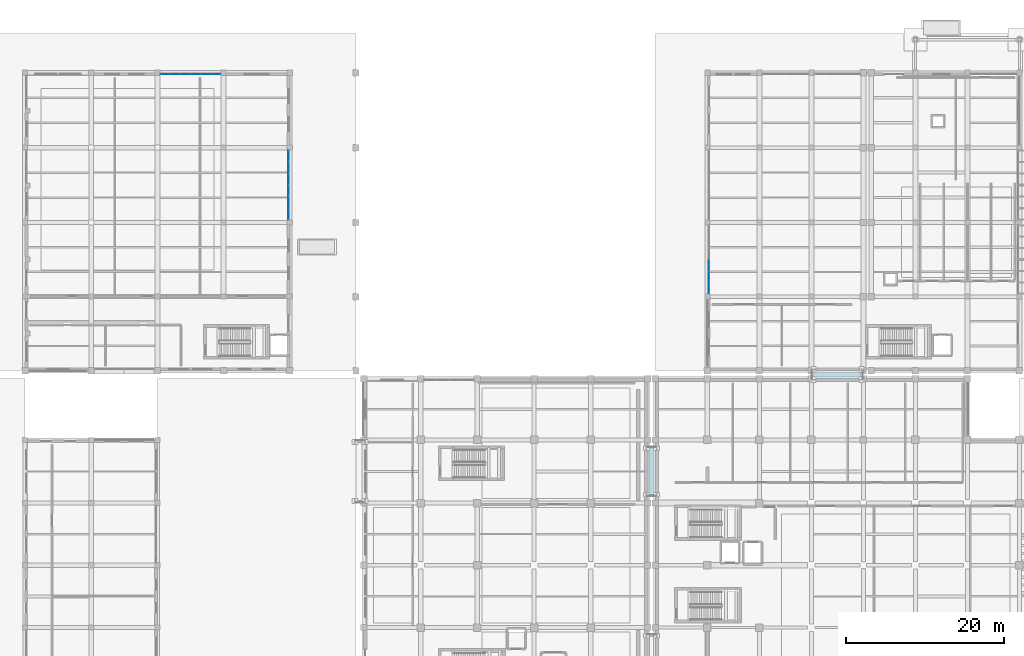
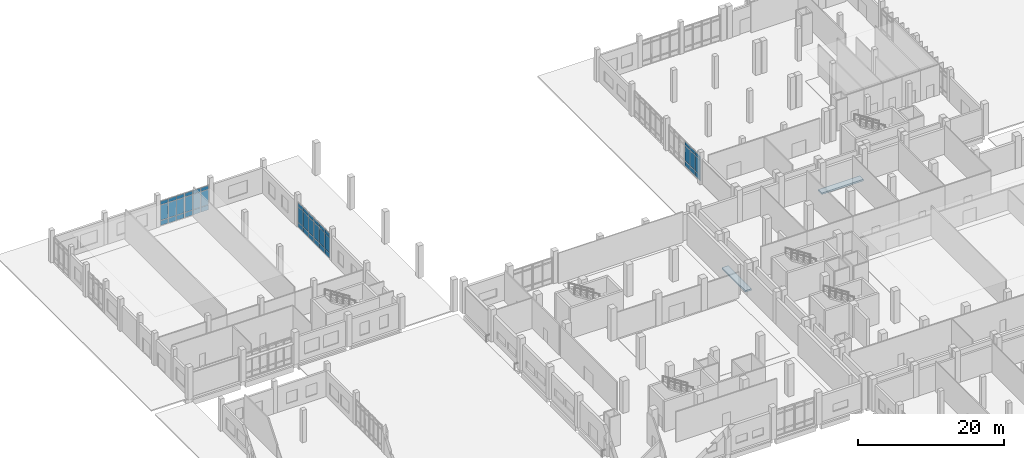
# One storey, part 44 of 79: 45 plates, 2 slabs, 5 elements without a shape of their own.
"""IFC4 building model written with IfcOpenShell, lengths in metres."""

from ifc_helpers import new_model, si_unit, direction, frame, origin, origin_2d, place, context, subcontext, project, spatial, polyline, rectangle, outline, extrude, material, layer, layer_set, type_object, element, aggregate, save


model = new_model("IFC4")

# Units and contexts
model_context = context("Model", 3, precision=1e-05, world=origin(), true_north=direction((0.0, 1.0)))
body_context = subcontext(model_context, "Body", "Model", "MODEL_VIEW")
ifc_project = project(units=[si_unit("LENGTHUNIT", "METRE"), si_unit("AREAUNIT", "SQUARE_METRE"), si_unit("VOLUMEUNIT", "CUBIC_METRE"), si_unit("PLANEANGLEUNIT", "RADIAN"), si_unit("MASSUNIT", "GRAM", prefix="KILO")], contexts=[model_context])

# Site, building, storey
site_placement = place(None, origin())
site = spatial("IfcSite", under=ifc_project, at=site_placement, CompositionType="ELEMENT")
building_placement = place(site_placement, origin())
building = spatial("IfcBuilding", under=site, at=building_placement, Name="Kelarvand Opera House", CompositionType="ELEMENT")
storey_placement = place(building_placement, origin())
storey = spatial("IfcBuildingStorey", under=building, at=storey_placement, Name="L00", CompositionType="ELEMENT", Elevation=0.0)

# Curtain wall, plates
ifc_material_1 = material(Name="Thermally broken aluminium and low-E glazing", Category="aluminium")
ifc_layer_1 = layer(ifc_material_1, 0.179931640625, Name="Thermally broken aluminium and low-E glazing", Category="aluminium")
ifc_layer_set_1 = layer_set([ifc_layer_1], Name="Thermally broken aluminium and low-E glazing")
curtain_wall_type_1 = type_object("IfcCurtainWallType", Name="Unitised Low-E Curtain Wall 4411x4200 Mod 1350 CWF-11", PredefinedType="USERDEFINED", material=ifc_layer_set_1)
curtain_wall_1_placement = place(storey_placement, origin())
curtain_wall_1 = element("IfcCurtainWall", 1, at=curtain_wall_1_placement, inside=storey, type_object=curtain_wall_type_1, Name="V3 L00 Curtain Wall CWF-11 (39)", ObjectType="UNITISED CURTAIN WALL", PredefinedType="USERDEFINED")
ifc_material_2 = material(Name="Low-E laminated double glazing", Category="glass")
ifc_layer_2 = layer(ifc_material_2, 0.031982421875, Name="Low-E laminated double glazing", Category="glass")
ifc_layer_set_2 = layer_set([ifc_layer_2], Name="Low-E laminated double glazing")
plate_type = type_object("IfcPlateType", Name="Low-E Argon Double Glazed Curtain Panel 32mm", PredefinedType="CURTAIN_PANEL", material=ifc_layer_set_2)
plate_1_placement = place(storey_placement, frame((42.419921875, 114.41357421875, 0.06494140625), z_axis=(0.0, 0.0, 1.0), x_axis=(0.0, -1.0, 0.0)))
plate_1 = element("IfcPlate", 2, at=plate_1_placement, type_object=plate_type, Name="CWF-11 panel 1.1", PredefinedType="CURTAIN_PANEL", context=body_context, shape_type="SweptSolid", body=[
    extrude(rectangle(XDim=1.372802734375, YDim=0.031982421875, at=origin_2d()), origin(), (0.0, 0.0, 1.0), 0.802490234375),
])
plate_2_placement = place(storey_placement, frame((42.419921875, 114.41357421875, 0.9326171875), z_axis=(0.0, 0.0, 1.0), x_axis=(0.0, -1.0, 0.0)))
plate_2 = element("IfcPlate", 3, at=plate_2_placement, type_object=plate_type, Name="CWF-11 panel 1.2", PredefinedType="CURTAIN_PANEL", context=body_context, shape_type="SweptSolid", body=[
    extrude(rectangle(XDim=1.372802734375, YDim=0.031982421875, at=origin_2d()), origin(), (0.0, 0.0, 1.0), 2.534912109375),
])
plate_3_placement = place(storey_placement, frame((42.419921875, 114.41357421875, 3.532470703125), z_axis=(0.0, 0.0, 1.0), x_axis=(0.0, -1.0, 0.0)))
plate_3 = element("IfcPlate", 4, at=plate_3_placement, type_object=plate_type, Name="CWF-11 panel 1.3", PredefinedType="CURTAIN_PANEL", context=body_context, shape_type="SweptSolid", body=[
    extrude(rectangle(XDim=1.372802734375, YDim=0.031982421875, at=origin_2d()), origin(), (0.0, 0.0, 1.0), 0.6025390625),
])
plate_4_placement = place(storey_placement, frame((42.419921875, 112.95947265625, 0.06494140625), z_axis=(0.0, 0.0, 1.0), x_axis=(0.0, -1.0, 0.0)))
plate_4 = element("IfcPlate", 5, at=plate_4_placement, type_object=plate_type, Name="CWF-11 panel 2.1", PredefinedType="CURTAIN_PANEL", context=body_context, shape_type="SweptSolid", body=[
    extrude(rectangle(XDim=1.4052734375, YDim=0.031982421875, at=origin_2d()), origin(), (0.0, 0.0, 1.0), 0.802490234375),
])
plate_5_placement = place(storey_placement, frame((42.419921875, 112.95947265625, 0.9326171875), z_axis=(0.0, 0.0, 1.0), x_axis=(0.0, -1.0, 0.0)))
plate_5 = element("IfcPlate", 6, at=plate_5_placement, type_object=plate_type, Name="CWF-11 panel 2.2", PredefinedType="CURTAIN_PANEL", context=body_context, shape_type="SweptSolid", body=[
    extrude(rectangle(XDim=1.4052734375, YDim=0.031982421875, at=origin_2d()), origin(), (0.0, 0.0, 1.0), 2.534912109375),
])
plate_6_placement = place(storey_placement, frame((42.419921875, 112.95947265625, 3.532470703125), z_axis=(0.0, 0.0, 1.0), x_axis=(0.0, -1.0, 0.0)))
plate_6 = element("IfcPlate", 7, at=plate_6_placement, type_object=plate_type, Name="CWF-11 panel 2.3", PredefinedType="CURTAIN_PANEL", context=body_context, shape_type="SweptSolid", body=[
    extrude(rectangle(XDim=1.4052734375, YDim=0.031982421875, at=origin_2d()), origin(), (0.0, 0.0, 1.0), 0.6025390625),
])
plate_7_placement = place(storey_placement, frame((42.419921875, 111.50537109375, 0.06494140625), z_axis=(0.0, 0.0, 1.0), x_axis=(0.0, -1.0, 0.0)))
plate_7 = element("IfcPlate", 8, at=plate_7_placement, type_object=plate_type, Name="CWF-11 panel 3.1", PredefinedType="CURTAIN_PANEL", context=body_context, shape_type="SweptSolid", body=[
    extrude(rectangle(XDim=1.372802734375, YDim=0.031982421875, at=origin_2d()), origin(), (0.0, 0.0, 1.0), 0.802490234375),
])
plate_8_placement = place(storey_placement, frame((42.419921875, 111.50537109375, 0.9326171875), z_axis=(0.0, 0.0, 1.0), x_axis=(0.0, -1.0, 0.0)))
plate_8 = element("IfcPlate", 9, at=plate_8_placement, type_object=plate_type, Name="CWF-11 panel 3.2", PredefinedType="CURTAIN_PANEL", context=body_context, shape_type="SweptSolid", body=[
    extrude(rectangle(XDim=1.372802734375, YDim=0.031982421875, at=origin_2d()), origin(), (0.0, 0.0, 1.0), 2.534912109375),
])
plate_9_placement = place(storey_placement, frame((42.419921875, 111.50537109375, 3.532470703125), z_axis=(0.0, 0.0, 1.0), x_axis=(0.0, -1.0, 0.0)))
plate_9 = element("IfcPlate", 10, at=plate_9_placement, type_object=plate_type, Name="CWF-11 panel 3.3", PredefinedType="CURTAIN_PANEL", context=body_context, shape_type="SweptSolid", body=[
    extrude(rectangle(XDim=1.372802734375, YDim=0.031982421875, at=origin_2d()), origin(), (0.0, 0.0, 1.0), 0.6025390625),
])
aggregate(curtain_wall_1, [plate_1, plate_2, plate_3, plate_4, plate_5, plate_6, plate_7, plate_8, plate_9])

curtain_wall_2_placement = place(storey_placement, origin())
curtain_wall_2 = element("IfcCurtainWall", 11, at=curtain_wall_2_placement, inside=storey, type_object=curtain_wall_type_1, Name="V3 L00 Curtain Wall CWF-11 (40)", ObjectType="UNITISED CURTAIN WALL", PredefinedType="USERDEFINED")
plate_10_placement = place(storey_placement, frame((42.419921875, 109.997802734375, 0.06494140625), z_axis=(0.0, 0.0, 1.0), x_axis=(0.0, -1.0, 0.0)))
plate_10 = element("IfcPlate", 12, at=plate_10_placement, type_object=plate_type, Name="CWF-11 panel 1.1", PredefinedType="CURTAIN_PANEL", context=body_context, shape_type="SweptSolid", body=[
    extrude(rectangle(XDim=1.374267578125, YDim=0.031982421875, at=origin_2d()), origin(), (0.0, 0.0, 1.0), 0.802490234375),
])
plate_11_placement = place(storey_placement, frame((42.419921875, 109.997802734375, 0.9326171875), z_axis=(0.0, 0.0, 1.0), x_axis=(0.0, -1.0, 0.0)))
plate_11 = element("IfcPlate", 13, at=plate_11_placement, type_object=plate_type, Name="CWF-11 panel 1.2", PredefinedType="CURTAIN_PANEL", context=body_context, shape_type="SweptSolid", body=[
    extrude(rectangle(XDim=1.374267578125, YDim=0.031982421875, at=origin_2d()), origin(), (0.0, 0.0, 1.0), 2.534912109375),
])
plate_12_placement = place(storey_placement, frame((42.419921875, 109.997802734375, 3.532470703125), z_axis=(0.0, 0.0, 1.0), x_axis=(0.0, -1.0, 0.0)))
plate_12 = element("IfcPlate", 14, at=plate_12_placement, type_object=plate_type, Name="CWF-11 panel 1.3", PredefinedType="CURTAIN_PANEL", context=body_context, shape_type="SweptSolid", body=[
    extrude(rectangle(XDim=1.374267578125, YDim=0.031982421875, at=origin_2d()), origin(), (0.0, 0.0, 1.0), 0.6025390625),
])
plate_13_placement = place(storey_placement, frame((42.419921875, 108.54248046875, 0.06494140625), z_axis=(0.0, 0.0, 1.0), x_axis=(0.0, -1.0, 0.0)))
plate_13 = element("IfcPlate", 15, at=plate_13_placement, type_object=plate_type, Name="CWF-11 panel 2.1", PredefinedType="CURTAIN_PANEL", context=body_context, shape_type="SweptSolid", body=[
    extrude(rectangle(XDim=1.40673828125, YDim=0.031982421875, at=origin_2d()), origin(), (0.0, 0.0, 1.0), 0.802490234375),
])
plate_14_placement = place(storey_placement, frame((42.419921875, 108.54248046875, 0.9326171875), z_axis=(0.0, 0.0, 1.0), x_axis=(0.0, -1.0, 0.0)))
plate_14 = element("IfcPlate", 16, at=plate_14_placement, type_object=plate_type, Name="CWF-11 panel 2.2", PredefinedType="CURTAIN_PANEL", context=body_context, shape_type="SweptSolid", body=[
    extrude(rectangle(XDim=1.40673828125, YDim=0.031982421875, at=origin_2d()), origin(), (0.0, 0.0, 1.0), 2.534912109375),
])
plate_15_placement = place(storey_placement, frame((42.419921875, 108.54248046875, 3.532470703125), z_axis=(0.0, 0.0, 1.0), x_axis=(0.0, -1.0, 0.0)))
plate_15 = element("IfcPlate", 17, at=plate_15_placement, type_object=plate_type, Name="CWF-11 panel 2.3", PredefinedType="CURTAIN_PANEL", context=body_context, shape_type="SweptSolid", body=[
    extrude(rectangle(XDim=1.40673828125, YDim=0.031982421875, at=origin_2d()), origin(), (0.0, 0.0, 1.0), 0.6025390625),
])
plate_16_placement = place(storey_placement, frame((42.419921875, 107.087158203125, 0.06494140625), z_axis=(0.0, 0.0, 1.0), x_axis=(0.0, -1.0, 0.0)))
plate_16 = element("IfcPlate", 18, at=plate_16_placement, type_object=plate_type, Name="CWF-11 panel 3.1", PredefinedType="CURTAIN_PANEL", context=body_context, shape_type="SweptSolid", body=[
    extrude(rectangle(XDim=1.374267578125, YDim=0.031982421875, at=origin_2d()), origin(), (0.0, 0.0, 1.0), 0.802490234375),
])
plate_17_placement = place(storey_placement, frame((42.419921875, 107.087158203125, 0.9326171875), z_axis=(0.0, 0.0, 1.0), x_axis=(0.0, -1.0, 0.0)))
plate_17 = element("IfcPlate", 19, at=plate_17_placement, type_object=plate_type, Name="CWF-11 panel 3.2", PredefinedType="CURTAIN_PANEL", context=body_context, shape_type="SweptSolid", body=[
    extrude(rectangle(XDim=1.374267578125, YDim=0.031982421875, at=origin_2d()), origin(), (0.0, 0.0, 1.0), 2.534912109375),
])
plate_18_placement = place(storey_placement, frame((42.419921875, 107.087158203125, 3.532470703125), z_axis=(0.0, 0.0, 1.0), x_axis=(0.0, -1.0, 0.0)))
plate_18 = element("IfcPlate", 20, at=plate_18_placement, type_object=plate_type, Name="CWF-11 panel 3.3", PredefinedType="CURTAIN_PANEL", context=body_context, shape_type="SweptSolid", body=[
    extrude(rectangle(XDim=1.374267578125, YDim=0.031982421875, at=origin_2d()), origin(), (0.0, 0.0, 1.0), 0.6025390625),
])
aggregate(curtain_wall_2, [plate_10, plate_11, plate_12, plate_13, plate_14, plate_15, plate_16, plate_17, plate_18])

ifc_layer_3 = layer(ifc_material_1, 0.179931640625, Name="Thermally broken aluminium and low-E glazing", Category="aluminium")
ifc_layer_set_3 = layer_set([ifc_layer_3], Name="Thermally broken aluminium and low-E glazing")
curtain_wall_type_2 = type_object("IfcCurtainWallType", Name="Unitised Low-E Curtain Wall 3861x4200 Mod 1350 CWF-12", PredefinedType="USERDEFINED", material=ifc_layer_set_3)
curtain_wall_3_placement = place(storey_placement, origin())
curtain_wall_3 = element("IfcCurtainWall", 21, at=curtain_wall_3_placement, inside=storey, type_object=curtain_wall_type_2, Name="V3 L00 Curtain Wall CWF-12 (41)", ObjectType="UNITISED CURTAIN WALL", PredefinedType="USERDEFINED")
plate_19_placement = place(storey_placement, frame((26.794677734375, 124.820068359375, 0.06494140625), z_axis=(0.0, 0.0, 1.0), x_axis=(1.0, 0.0, 0.0)))
plate_19 = element("IfcPlate", 22, at=plate_19_placement, type_object=plate_type, Name="CWF-12 panel 1.1", PredefinedType="CURTAIN_PANEL", context=body_context, shape_type="SweptSolid", body=[
    extrude(rectangle(XDim=1.189453125, YDim=0.031982421875, at=origin_2d()), origin(), (0.0, 0.0, 1.0), 0.802490234375),
])
plate_20_placement = place(storey_placement, frame((26.794677734375, 124.820068359375, 0.9326171875), z_axis=(0.0, 0.0, 1.0), x_axis=(1.0, 0.0, 0.0)))
plate_20 = element("IfcPlate", 23, at=plate_20_placement, type_object=plate_type, Name="CWF-12 panel 1.2", PredefinedType="CURTAIN_PANEL", context=body_context, shape_type="SweptSolid", body=[
    extrude(rectangle(XDim=1.189453125, YDim=0.031982421875, at=origin_2d()), origin(), (0.0, 0.0, 1.0), 2.534912109375),
])
plate_21_placement = place(storey_placement, frame((26.794677734375, 124.820068359375, 3.532470703125), z_axis=(0.0, 0.0, 1.0), x_axis=(1.0, 0.0, 0.0)))
plate_21 = element("IfcPlate", 24, at=plate_21_placement, type_object=plate_type, Name="CWF-12 panel 1.3", PredefinedType="CURTAIN_PANEL", context=body_context, shape_type="SweptSolid", body=[
    extrude(rectangle(XDim=1.189453125, YDim=0.031982421875, at=origin_2d()), origin(), (0.0, 0.0, 1.0), 0.6025390625),
])
plate_22_placement = place(storey_placement, frame((28.0654296875, 124.820068359375, 0.06494140625), z_axis=(0.0, 0.0, 1.0), x_axis=(1.0, 0.0, 0.0)))
plate_22 = element("IfcPlate", 25, at=plate_22_placement, type_object=plate_type, Name="CWF-12 panel 2.1", PredefinedType="CURTAIN_PANEL", context=body_context, shape_type="SweptSolid", body=[
    extrude(rectangle(XDim=1.221923828125, YDim=0.031982421875, at=origin_2d()), origin(), (0.0, 0.0, 1.0), 0.802490234375),
])
plate_23_placement = place(storey_placement, frame((28.0654296875, 124.820068359375, 0.9326171875), z_axis=(0.0, 0.0, 1.0), x_axis=(1.0, 0.0, 0.0)))
plate_23 = element("IfcPlate", 26, at=plate_23_placement, type_object=plate_type, Name="CWF-12 panel 2.2", PredefinedType="CURTAIN_PANEL", context=body_context, shape_type="SweptSolid", body=[
    extrude(rectangle(XDim=1.221923828125, YDim=0.031982421875, at=origin_2d()), origin(), (0.0, 0.0, 1.0), 2.534912109375),
])
plate_24_placement = place(storey_placement, frame((28.0654296875, 124.820068359375, 3.532470703125), z_axis=(0.0, 0.0, 1.0), x_axis=(1.0, 0.0, 0.0)))
plate_24 = element("IfcPlate", 27, at=plate_24_placement, type_object=plate_type, Name="CWF-12 panel 2.3", PredefinedType="CURTAIN_PANEL", context=body_context, shape_type="SweptSolid", body=[
    extrude(rectangle(XDim=1.221923828125, YDim=0.031982421875, at=origin_2d()), origin(), (0.0, 0.0, 1.0), 0.6025390625),
])
plate_25_placement = place(storey_placement, frame((29.336181640625, 124.820068359375, 0.06494140625), z_axis=(0.0, 0.0, 1.0), x_axis=(1.0, 0.0, 0.0)))
plate_25 = element("IfcPlate", 28, at=plate_25_placement, type_object=plate_type, Name="CWF-12 panel 3.1", PredefinedType="CURTAIN_PANEL", context=body_context, shape_type="SweptSolid", body=[
    extrude(rectangle(XDim=1.189453125, YDim=0.031982421875, at=origin_2d()), origin(), (0.0, 0.0, 1.0), 0.802490234375),
])
plate_26_placement = place(storey_placement, frame((29.336181640625, 124.820068359375, 0.9326171875), z_axis=(0.0, 0.0, 1.0), x_axis=(1.0, 0.0, 0.0)))
plate_26 = element("IfcPlate", 29, at=plate_26_placement, type_object=plate_type, Name="CWF-12 panel 3.2", PredefinedType="CURTAIN_PANEL", context=body_context, shape_type="SweptSolid", body=[
    extrude(rectangle(XDim=1.189453125, YDim=0.031982421875, at=origin_2d()), origin(), (0.0, 0.0, 1.0), 2.534912109375),
])
plate_27_placement = place(storey_placement, frame((29.336181640625, 124.820068359375, 3.532470703125), z_axis=(0.0, 0.0, 1.0), x_axis=(1.0, 0.0, 0.0)))
plate_27 = element("IfcPlate", 30, at=plate_27_placement, type_object=plate_type, Name="CWF-12 panel 3.3", PredefinedType="CURTAIN_PANEL", context=body_context, shape_type="SweptSolid", body=[
    extrude(rectangle(XDim=1.189453125, YDim=0.031982421875, at=origin_2d()), origin(), (0.0, 0.0, 1.0), 0.6025390625),
])
aggregate(curtain_wall_3, [plate_19, plate_20, plate_21, plate_22, plate_23, plate_24, plate_25, plate_26, plate_27])

curtain_wall_4_placement = place(storey_placement, origin())
curtain_wall_4 = element("IfcCurtainWall", 31, at=curtain_wall_4_placement, inside=storey, type_object=curtain_wall_type_2, Name="V3 L00 Curtain Wall CWF-12 (42)", ObjectType="UNITISED CURTAIN WALL", PredefinedType="USERDEFINED")
plate_28_placement = place(storey_placement, frame((30.660400390625, 124.820068359375, 0.06494140625), z_axis=(0.0, 0.0, 1.0), x_axis=(1.0, 0.0, 0.0)))
plate_28 = element("IfcPlate", 32, at=plate_28_placement, type_object=plate_type, Name="CWF-12 panel 1.1", PredefinedType="CURTAIN_PANEL", context=body_context, shape_type="SweptSolid", body=[
    extrude(rectangle(XDim=1.19091796875, YDim=0.031982421875, at=origin_2d()), origin(), (0.0, 0.0, 1.0), 0.802490234375),
])
plate_29_placement = place(storey_placement, frame((30.660400390625, 124.820068359375, 0.9326171875), z_axis=(0.0, 0.0, 1.0), x_axis=(1.0, 0.0, 0.0)))
plate_29 = element("IfcPlate", 33, at=plate_29_placement, type_object=plate_type, Name="CWF-12 panel 1.2", PredefinedType="CURTAIN_PANEL", context=body_context, shape_type="SweptSolid", body=[
    extrude(rectangle(XDim=1.19091796875, YDim=0.031982421875, at=origin_2d()), origin(), (0.0, 0.0, 1.0), 2.534912109375),
])
plate_30_placement = place(storey_placement, frame((30.660400390625, 124.820068359375, 3.532470703125), z_axis=(0.0, 0.0, 1.0), x_axis=(1.0, 0.0, 0.0)))
plate_30 = element("IfcPlate", 34, at=plate_30_placement, type_object=plate_type, Name="CWF-12 panel 1.3", PredefinedType="CURTAIN_PANEL", context=body_context, shape_type="SweptSolid", body=[
    extrude(rectangle(XDim=1.19091796875, YDim=0.031982421875, at=origin_2d()), origin(), (0.0, 0.0, 1.0), 0.6025390625),
])
plate_31_placement = place(storey_placement, frame((31.9326171875, 124.820068359375, 0.06494140625), z_axis=(0.0, 0.0, 1.0), x_axis=(1.0, 0.0, 0.0)))
plate_31 = element("IfcPlate", 35, at=plate_31_placement, type_object=plate_type, Name="CWF-12 panel 2.1", PredefinedType="CURTAIN_PANEL", context=body_context, shape_type="SweptSolid", body=[
    extrude(rectangle(XDim=1.223388671875, YDim=0.031982421875, at=origin_2d()), origin(), (0.0, 0.0, 1.0), 0.802490234375),
])
plate_32_placement = place(storey_placement, frame((31.9326171875, 124.820068359375, 0.9326171875), z_axis=(0.0, 0.0, 1.0), x_axis=(1.0, 0.0, 0.0)))
plate_32 = element("IfcPlate", 36, at=plate_32_placement, type_object=plate_type, Name="CWF-12 panel 2.2", PredefinedType="CURTAIN_PANEL", context=body_context, shape_type="SweptSolid", body=[
    extrude(rectangle(XDim=1.223388671875, YDim=0.031982421875, at=origin_2d()), origin(), (0.0, 0.0, 1.0), 2.534912109375),
])
plate_33_placement = place(storey_placement, frame((31.9326171875, 124.820068359375, 3.532470703125), z_axis=(0.0, 0.0, 1.0), x_axis=(1.0, 0.0, 0.0)))
plate_33 = element("IfcPlate", 37, at=plate_33_placement, type_object=plate_type, Name="CWF-12 panel 2.3", PredefinedType="CURTAIN_PANEL", context=body_context, shape_type="SweptSolid", body=[
    extrude(rectangle(XDim=1.223388671875, YDim=0.031982421875, at=origin_2d()), origin(), (0.0, 0.0, 1.0), 0.6025390625),
])
plate_34_placement = place(storey_placement, frame((33.20458984375, 124.820068359375, 0.06494140625), z_axis=(0.0, 0.0, 1.0), x_axis=(1.0, 0.0, 0.0)))
plate_34 = element("IfcPlate", 38, at=plate_34_placement, type_object=plate_type, Name="CWF-12 panel 3.1", PredefinedType="CURTAIN_PANEL", context=body_context, shape_type="SweptSolid", body=[
    extrude(rectangle(XDim=1.19091796875, YDim=0.031982421875, at=origin_2d()), origin(), (0.0, 0.0, 1.0), 0.802490234375),
])
plate_35_placement = place(storey_placement, frame((33.20458984375, 124.820068359375, 0.9326171875), z_axis=(0.0, 0.0, 1.0), x_axis=(1.0, 0.0, 0.0)))
plate_35 = element("IfcPlate", 39, at=plate_35_placement, type_object=plate_type, Name="CWF-12 panel 3.2", PredefinedType="CURTAIN_PANEL", context=body_context, shape_type="SweptSolid", body=[
    extrude(rectangle(XDim=1.19091796875, YDim=0.031982421875, at=origin_2d()), origin(), (0.0, 0.0, 1.0), 2.534912109375),
])
plate_36_placement = place(storey_placement, frame((33.20458984375, 124.820068359375, 3.532470703125), z_axis=(0.0, 0.0, 1.0), x_axis=(1.0, 0.0, 0.0)))
plate_36 = element("IfcPlate", 40, at=plate_36_placement, type_object=plate_type, Name="CWF-12 panel 3.3", PredefinedType="CURTAIN_PANEL", context=body_context, shape_type="SweptSolid", body=[
    extrude(rectangle(XDim=1.19091796875, YDim=0.031982421875, at=origin_2d()), origin(), (0.0, 0.0, 1.0), 0.6025390625),
])
aggregate(curtain_wall_4, [plate_28, plate_29, plate_30, plate_31, plate_32, plate_33, plate_34, plate_35, plate_36])

ifc_layer_4 = layer(ifc_material_1, 0.179931640625, Name="Thermally broken aluminium and low-E glazing", Category="aluminium")
ifc_layer_set_4 = layer_set([ifc_layer_4], Name="Thermally broken aluminium and low-E glazing")
curtain_wall_type_3 = type_object("IfcCurtainWallType", Name="Unitised Low-E Curtain Wall 4361x4200 Mod 1450 CWF-38", PredefinedType="USERDEFINED", material=ifc_layer_set_4)
curtain_wall_5_placement = place(storey_placement, origin())
curtain_wall_5 = element("IfcCurtainWall", 41, at=curtain_wall_5_placement, inside=storey, type_object=curtain_wall_type_3, Name="V5 L00 Curtain Wall CWF-38 (170)", ObjectType="UNITISED CURTAIN WALL", PredefinedType="USERDEFINED")
plate_37_placement = place(storey_placement, frame((95.780029296875, 97.677978515625, 0.06494140625), z_axis=(0.0, 0.0, 1.0), x_axis=(0.0, 1.0, 0.0)))
plate_37 = element("IfcPlate", 42, at=plate_37_placement, type_object=plate_type, Name="CWF-38 panel 1.1", PredefinedType="CURTAIN_PANEL", context=body_context, shape_type="SweptSolid", body=[
    extrude(rectangle(XDim=1.356201171875, YDim=0.031982421875, at=origin_2d()), origin(), (0.0, 0.0, 1.0), 0.802490234375),
])
plate_38_placement = place(storey_placement, frame((95.780029296875, 97.677978515625, 0.9326171875), z_axis=(0.0, 0.0, 1.0), x_axis=(0.0, 1.0, 0.0)))
plate_38 = element("IfcPlate", 43, at=plate_38_placement, type_object=plate_type, Name="CWF-38 panel 1.2", PredefinedType="CURTAIN_PANEL", context=body_context, shape_type="SweptSolid", body=[
    extrude(rectangle(XDim=1.356201171875, YDim=0.031982421875, at=origin_2d()), origin(), (0.0, 0.0, 1.0), 2.534912109375),
])
plate_39_placement = place(storey_placement, frame((95.780029296875, 97.677978515625, 3.532470703125), z_axis=(0.0, 0.0, 1.0), x_axis=(0.0, 1.0, 0.0)))
plate_39 = element("IfcPlate", 44, at=plate_39_placement, type_object=plate_type, Name="CWF-38 panel 1.3", PredefinedType="CURTAIN_PANEL", context=body_context, shape_type="SweptSolid", body=[
    extrude(rectangle(XDim=1.356201171875, YDim=0.031982421875, at=origin_2d()), origin(), (0.0, 0.0, 1.0), 0.6025390625),
])
plate_40_placement = place(storey_placement, frame((95.780029296875, 99.115478515625, 0.06494140625), z_axis=(0.0, 0.0, 1.0), x_axis=(0.0, 1.0, 0.0)))
plate_40 = element("IfcPlate", 45, at=plate_40_placement, type_object=plate_type, Name="CWF-38 panel 2.1", PredefinedType="CURTAIN_PANEL", context=body_context, shape_type="SweptSolid", body=[
    extrude(rectangle(XDim=1.388671875, YDim=0.031982421875, at=origin_2d()), origin(), (0.0, 0.0, 1.0), 0.802490234375),
])
plate_41_placement = place(storey_placement, frame((95.780029296875, 99.115478515625, 0.9326171875), z_axis=(0.0, 0.0, 1.0), x_axis=(0.0, 1.0, 0.0)))
plate_41 = element("IfcPlate", 46, at=plate_41_placement, type_object=plate_type, Name="CWF-38 panel 2.2", PredefinedType="CURTAIN_PANEL", context=body_context, shape_type="SweptSolid", body=[
    extrude(rectangle(XDim=1.388671875, YDim=0.031982421875, at=origin_2d()), origin(), (0.0, 0.0, 1.0), 2.534912109375),
])
plate_42_placement = place(storey_placement, frame((95.780029296875, 99.115478515625, 3.532470703125), z_axis=(0.0, 0.0, 1.0), x_axis=(0.0, 1.0, 0.0)))
plate_42 = element("IfcPlate", 47, at=plate_42_placement, type_object=plate_type, Name="CWF-38 panel 2.3", PredefinedType="CURTAIN_PANEL", context=body_context, shape_type="SweptSolid", body=[
    extrude(rectangle(XDim=1.388671875, YDim=0.031982421875, at=origin_2d()), origin(), (0.0, 0.0, 1.0), 0.6025390625),
])
plate_43_placement = place(storey_placement, frame((95.780029296875, 100.552978515625, 0.06494140625), z_axis=(0.0, 0.0, 1.0), x_axis=(0.0, 1.0, 0.0)))
plate_43 = element("IfcPlate", 48, at=plate_43_placement, type_object=plate_type, Name="CWF-38 panel 3.1", PredefinedType="CURTAIN_PANEL", context=body_context, shape_type="SweptSolid", body=[
    extrude(rectangle(XDim=1.356201171875, YDim=0.031982421875, at=origin_2d()), origin(), (0.0, 0.0, 1.0), 0.802490234375),
])
plate_44_placement = place(storey_placement, frame((95.780029296875, 100.552978515625, 0.9326171875), z_axis=(0.0, 0.0, 1.0), x_axis=(0.0, 1.0, 0.0)))
plate_44 = element("IfcPlate", 49, at=plate_44_placement, type_object=plate_type, Name="CWF-38 panel 3.2", PredefinedType="CURTAIN_PANEL", context=body_context, shape_type="SweptSolid", body=[
    extrude(rectangle(XDim=1.356201171875, YDim=0.031982421875, at=origin_2d()), origin(), (0.0, 0.0, 1.0), 2.534912109375),
])
plate_45_placement = place(storey_placement, frame((95.780029296875, 100.552978515625, 3.532470703125), z_axis=(0.0, 0.0, 1.0), x_axis=(0.0, 1.0, 0.0)))
plate_45 = element("IfcPlate", 50, at=plate_45_placement, type_object=plate_type, Name="CWF-38 panel 3.3", PredefinedType="CURTAIN_PANEL", context=body_context, shape_type="SweptSolid", body=[
    extrude(rectangle(XDim=1.356201171875, YDim=0.031982421875, at=origin_2d()), origin(), (0.0, 0.0, 1.0), 0.6025390625),
])
aggregate(curtain_wall_5, [plate_37, plate_38, plate_39, plate_40, plate_41, plate_42, plate_43, plate_44, plate_45])

# Slabs
ifc_material_3 = material(Name="Concrete C35/45", Category="concrete")
ifc_layer_5 = layer(ifc_material_3, 0.260009765625, Name="Concrete C35/45", Category="concrete")
ifc_layer_set_5 = layer_set([ifc_layer_5], Name="Concrete C35/45")
slab_type = type_object("IfcSlabType", Name="Seismic Bridge Deck Slab 260", PredefinedType="FLOOR", material=ifc_layer_set_5)
slab_1_placement = place(storey_placement, frame((0.0, 0.0, -0.260009765625)))
element("IfcSlab", 51, at=slab_1_placement, inside=storey, type_object=slab_type, Name="Seismic Joint Sliding Bridge BR-JP-N L00", PredefinedType="FLOOR", context=body_context, shape_type="SweptSolid", body=[
    extrude(outline(polyline([(88.0, 71.199951171875), (89.0, 71.199951171875), (89.0, 77.60009765625), (88.0, 77.60009765625), (88.0, 71.199951171875)])), origin(), (0.0, 0.0, 1.0), 0.260009765625),
])
slab_2_placement = place(storey_placement, frame((0.0, 0.0, -0.260009765625)))
element("IfcSlab", 52, at=slab_2_placement, inside=storey, type_object=slab_type, Name="Seismic Joint Sliding Bridge BR-JN-E L00", PredefinedType="FLOOR", context=body_context, shape_type="SweptSolid", body=[
    extrude(outline(polyline([(108.800048828125, 86.199951171875), (115.39990234375, 86.199951171875), (115.39990234375, 87.199951171875), (108.800048828125, 87.199951171875), (108.800048828125, 86.199951171875)])), origin(), (0.0, 0.0, 1.0), 0.260009765625),
])

save(model, "model.ifc")
